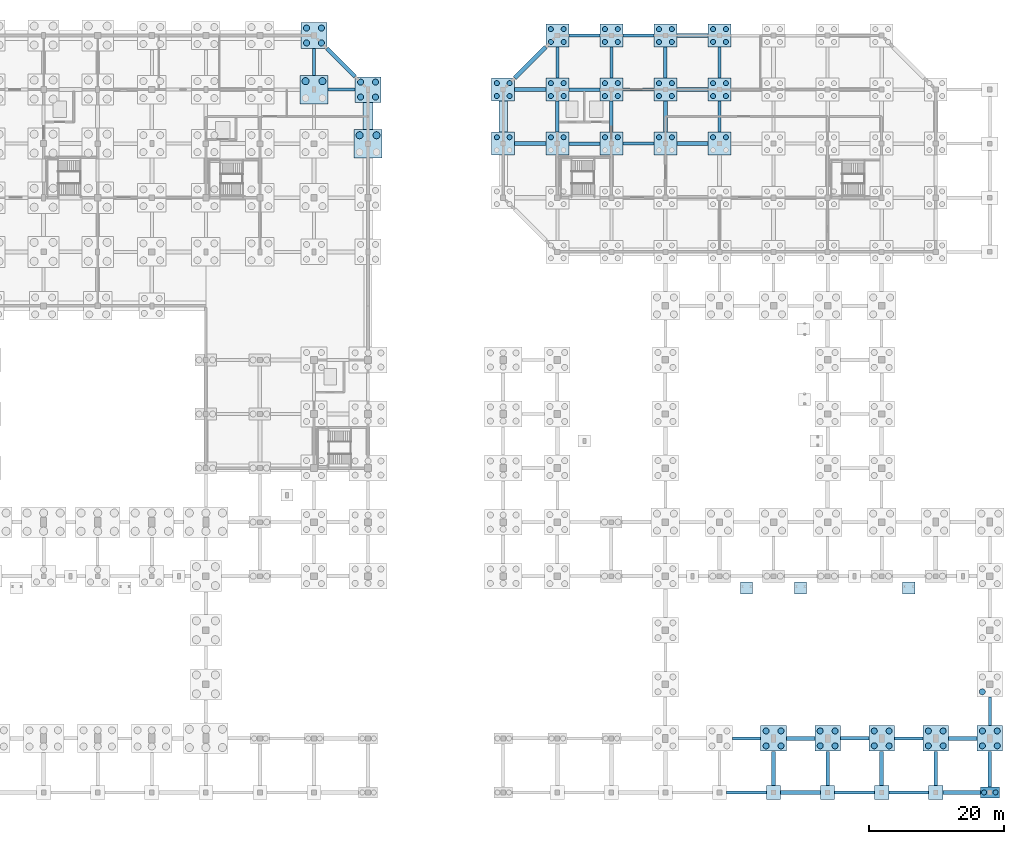
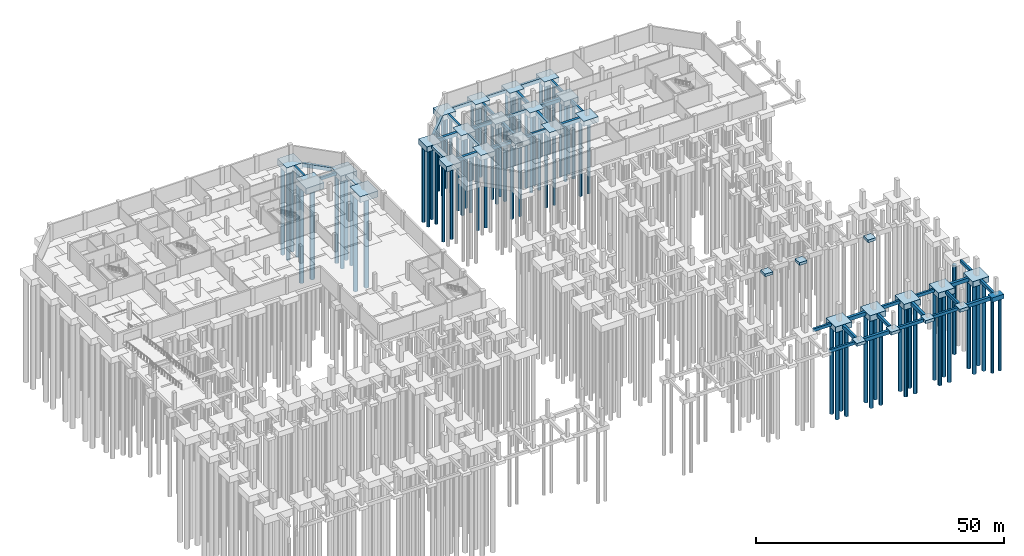
# One storey, part 8 of 32: 81 piles, 72 footings.
"""IFC4 building model written with IfcOpenShell, lengths in metres."""

from ifc_helpers import new_model, si_unit, direction, frame, origin, origin_2d, place, context, subcontext, project, spatial, polyline, rectangle, circle, outline, extrude, material, material_profile, profile_set, type_object, element, save


model = new_model("IFC4")

# Units and contexts
model_context = context("Model", 3, precision=1e-05, world=origin(), true_north=direction((0.0, 1.0)))
body_context = subcontext(model_context, "Body", "Model", "MODEL_VIEW")
ifc_project = project(units=[si_unit("LENGTHUNIT", "METRE"), si_unit("AREAUNIT", "SQUARE_METRE"), si_unit("VOLUMEUNIT", "CUBIC_METRE"), si_unit("PLANEANGLEUNIT", "RADIAN"), si_unit("MASSUNIT", "GRAM", prefix="KILO")], contexts=[model_context])

# Site, building, storey
site_placement = place(None, origin())
site = spatial("IfcSite", under=ifc_project, at=site_placement, CompositionType="ELEMENT")
building_placement = place(site_placement, origin())
building = spatial("IfcBuilding", under=site, at=building_placement, Name="Tenunan Teduh Sports Hall", CompositionType="ELEMENT")
storey_placement = place(building_placement, frame((0.0, 0.0, -4.199951171875)))
storey = spatial("IfcBuildingStorey", under=building, at=storey_placement, Name="B1", CompositionType="ELEMENT", Elevation=-4.199951171875)

# Footings
ifc_material_1 = material(Name="Concrete C40/50", Category="concrete")
ifc_material_profile_1 = material_profile(ifc_material_1, rectangle(XDim=0.449951171875, YDim=0.75, at=origin_2d()), Name="RCB 450x750")
ifc_profile_set_1 = profile_set([ifc_material_profile_1], Name="Concrete C40/50")
footing_type_1 = type_object("IfcFootingType", Name="GB-450x750", PredefinedType="FOOTING_BEAM", material=ifc_profile_set_1)
for number, where, z_axis, x_axis, name in (
    (1, (131.052001953125, 6.0, -0.375), (1.0, 0.0, 0.0), (0.0, 1.0, 0.0), "FTG-GBX-014"),
    (2, (155.052001953125, 6.0, -0.375), (1.0, 0.0, 0.0), (0.0, 1.0, 0.0), "FTG-GBX-017"),
):
    element("IfcFooting", number, at=place(storey_placement, frame(where, z_axis=z_axis, x_axis=x_axis)), inside=storey, type_object=footing_type_1, Name=name, PredefinedType="FOOTING_BEAM", context=body_context, shape_type="SweptSolid", body=[
        extrude(rectangle(XDim=0.449951171875, YDim=0.75, at=origin_2d()), origin(), (0.0, 0.0, 1.0), 5.89599609375),
    ])
for number, where, z_axis, x_axis, name in (
    (3, (131.902099609375, 14.0, -0.375), (1.0, 0.0, 0.0), (0.0, 1.0, 0.0), "FTG-GBX-032"),
    (4, (155.902099609375, 14.0, -0.375), (1.0, 0.0, 0.0), (0.0, 1.0, 0.0), "FTG-GBX-035"),
):
    element("IfcFooting", number, at=place(storey_placement, frame(where, z_axis=z_axis, x_axis=x_axis)), inside=storey, type_object=footing_type_1, Name=name, PredefinedType="FOOTING_BEAM", context=body_context, shape_type="SweptSolid", body=[
        extrude(rectangle(XDim=0.449951171875, YDim=0.75, at=origin_2d()), origin(), (0.0, 0.0, 1.0), 4.19580078125),
    ])
footing_1_placement = place(storey_placement, frame((115.701904296875, 102.0, -0.375), z_axis=(1.0, 0.0, 0.0), x_axis=(0.0, 1.0, 0.0)))
element("IfcFooting", 5, at=footing_1_placement, inside=storey, type_object=footing_type_1, Name="FTG-GBX-140", PredefinedType="FOOTING_BEAM", context=body_context, shape_type="SweptSolid", body=[
    extrude(rectangle(XDim=0.449951171875, YDim=0.75, at=origin_2d()), origin(), (0.0, 0.0, 1.0), 4.59619140625),
])
footing_2_placement = place(storey_placement, frame((72.10205078125, 110.0, -0.375), z_axis=(1.0, 0.0, 0.0), x_axis=(0.0, 1.0, 0.0)))
element("IfcFooting", 6, at=footing_2_placement, inside=storey, type_object=footing_type_1, Name="FTG-GBX-155", PredefinedType="FOOTING_BEAM", context=body_context, shape_type="SweptSolid", body=[
    extrude(rectangle(XDim=0.449951171875, YDim=0.75, at=origin_2d()), origin(), (0.0, 0.0, 1.0), 3.995849609375),
])
for number, where, z_axis, x_axis, name in (
    (7, (115.701904296875, 110.0, -0.375), (1.0, 0.0, 0.0), (0.0, 1.0, 0.0), "FTG-GBX-158"),
    (8, (115.701904296875, 118.0, -0.375), (1.0, 0.0, 0.0), (0.0, 1.0, 0.0), "FTG-GBX-166"),
):
    element("IfcFooting", number, at=place(storey_placement, frame(where, z_axis=z_axis, x_axis=x_axis)), inside=storey, type_object=footing_type_1, Name=name, PredefinedType="FOOTING_BEAM", context=body_context, shape_type="SweptSolid", body=[
        extrude(rectangle(XDim=0.449951171875, YDim=0.75, at=origin_2d()), origin(), (0.0, 0.0, 1.0), 4.59619140625),
    ])
footing_3_placement = place(storey_placement, frame((70.0, 112.10205078125, -0.375), z_axis=(0.0, 1.0, 0.0), x_axis=(-1.0, 0.0, 0.0)))
element("IfcFooting", 9, at=footing_3_placement, inside=storey, type_object=footing_type_1, Name="FTG-GBY-252", PredefinedType="FOOTING_BEAM", context=body_context, shape_type="SweptSolid", body=[
    extrude(rectangle(XDim=0.449951171875, YDim=0.75, at=origin_2d()), origin(), (0.0, 0.0, 1.0), 3.995849609375),
])
for number, where, z_axis, x_axis, name in (
    (10, (106.0, 111.701904296875, -0.375), (0.0, 1.0, 0.0), (-1.0, 0.0, 0.0), "FTG-GBY-271"),
    (11, (114.0, 111.701904296875, -0.375), (0.0, 1.0, 0.0), (-1.0, 0.0, 0.0), "FTG-GBY-277"),
    (12, (130.0, 111.701904296875, -0.375), (0.0, 1.0, 0.0), (-1.0, 0.0, 0.0), "FTG-GBY-298"),
):
    element("IfcFooting", number, at=place(storey_placement, frame(where, z_axis=z_axis, x_axis=x_axis)), inside=storey, type_object=footing_type_1, Name=name, PredefinedType="FOOTING_BEAM", context=body_context, shape_type="SweptSolid", body=[
        extrude(rectangle(XDim=0.449951171875, YDim=0.75, at=origin_2d()), origin(), (0.0, 0.0, 1.0), 4.59619140625),
    ])
footing_4_placement = place(storey_placement, frame((162.0, 7.052001953125, -0.375), z_axis=(0.0, 1.0, 0.0), x_axis=(-1.0, 0.0, 0.0)))
element("IfcFooting", 13, at=footing_4_placement, inside=storey, type_object=footing_type_1, Name="FTG-GBY-328", PredefinedType="FOOTING_BEAM", context=body_context, shape_type="SweptSolid", body=[
    extrude(rectangle(XDim=0.449951171875, YDim=0.75, at=origin_2d()), origin(), (0.0, 0.0, 1.0), 5.0458984375),
])
footing_5_placement = place(storey_placement, frame((170.0, 15.902099609375, -0.375), z_axis=(0.0, 1.0, 0.0), x_axis=(-1.0, 0.0, 0.0)))
element("IfcFooting", 14, at=footing_5_placement, inside=storey, type_object=footing_type_1, Name="FTG-GBY-334", PredefinedType="FOOTING_BEAM", context=body_context, shape_type="SweptSolid", body=[
    extrude(rectangle(XDim=0.449951171875, YDim=0.75, at=origin_2d()), origin(), (0.0, 0.0, 1.0), 4.19580078125),
])
ifc_material_2 = material(Name="Concrete C40/50", Category="concrete")
ifc_material_profile_2 = material_profile(ifc_material_2, rectangle(XDim=0.5, YDim=0.800048828125, at=origin_2d()), Name="RCB 500x800")
ifc_profile_set_2 = profile_set([ifc_material_profile_2], Name="Concrete C40/50")
footing_type_2 = type_object("IfcFootingType", Name="GB-500x800", PredefinedType="FOOTING_BEAM", material=ifc_profile_set_2)
footing_6_placement = place(storey_placement, frame((147.052001953125, 6.0, -0.400146484375), z_axis=(1.0, 0.0, 0.0), x_axis=(0.0, 1.0, 0.0)))
element("IfcFooting", 15, at=footing_6_placement, inside=storey, type_object=footing_type_2, Name="FTG-GBX-016", PredefinedType="FOOTING_BEAM", context=body_context, shape_type="SweptSolid", body=[
    extrude(rectangle(XDim=0.5, YDim=0.800048828125, at=origin_2d()), origin(), (0.0, 0.0, 1.0), 5.89599609375),
])
footing_7_placement = place(storey_placement, frame((147.902099609375, 14.0, -0.400146484375), z_axis=(1.0, 0.0, 0.0), x_axis=(0.0, 1.0, 0.0)))
element("IfcFooting", 16, at=footing_7_placement, inside=storey, type_object=footing_type_2, Name="FTG-GBX-034", PredefinedType="FOOTING_BEAM", context=body_context, shape_type="SweptSolid", body=[
    extrude(rectangle(XDim=0.5, YDim=0.800048828125, at=origin_2d()), origin(), (0.0, 0.0, 1.0), 4.19580078125),
])
for number, where, z_axis, x_axis, name in (
    (17, (107.701904296875, 102.0, -0.400146484375), (1.0, 0.0, 0.0), (0.0, 1.0, 0.0), "FTG-GBX-139"),
    (18, (107.701904296875, 110.0, -0.400146484375), (1.0, 0.0, 0.0), (0.0, 1.0, 0.0), "FTG-GBX-157"),
    (19, (107.701904296875, 118.0, -0.400146484375), (1.0, 0.0, 0.0), (0.0, 1.0, 0.0), "FTG-GBX-165"),
    (20, (106.0, 103.701904296875, -0.400146484375), (0.0, 1.0, 0.0), (-1.0, 0.0, 0.0), "FTG-GBY-270"),
    (21, (114.0, 103.701904296875, -0.400146484375), (0.0, 1.0, 0.0), (-1.0, 0.0, 0.0), "FTG-GBY-276"),
    (22, (122.0, 111.701904296875, -0.400146484375), (0.0, 1.0, 0.0), (-1.0, 0.0, 0.0), "FTG-GBY-291"),
    (23, (130.0, 103.701904296875, -0.400146484375), (0.0, 1.0, 0.0), (-1.0, 0.0, 0.0), "FTG-GBY-297"),
):
    element("IfcFooting", number, at=place(storey_placement, frame(where, z_axis=z_axis, x_axis=x_axis)), inside=storey, type_object=footing_type_2, Name=name, PredefinedType="FOOTING_BEAM", context=body_context, shape_type="SweptSolid", body=[
        extrude(rectangle(XDim=0.5, YDim=0.800048828125, at=origin_2d()), origin(), (0.0, 0.0, 1.0), 4.59619140625),
    ])
footing_8_placement = place(storey_placement, frame((146.0, 7.052001953125, -0.400146484375), z_axis=(0.0, 1.0, 0.0), x_axis=(-1.0, 0.0, 0.0)))
element("IfcFooting", 24, at=footing_8_placement, inside=storey, type_object=footing_type_2, Name="FTG-GBY-306", PredefinedType="FOOTING_BEAM", context=body_context, shape_type="SweptSolid", body=[
    extrude(rectangle(XDim=0.5, YDim=0.800048828125, at=origin_2d()), origin(), (0.0, 0.0, 1.0), 5.0458984375),
])
footing_9_placement = place(storey_placement, frame((170.0, 6.802001953125, -0.400146484375), z_axis=(0.0, 1.0, 0.0), x_axis=(-1.0, 0.0, 0.0)))
element("IfcFooting", 25, at=footing_9_placement, inside=storey, type_object=footing_type_2, Name="FTG-GBY-333", PredefinedType="FOOTING_BEAM", context=body_context, shape_type="SweptSolid", body=[
    extrude(rectangle(XDim=0.5, YDim=0.800048828125, at=origin_2d()), origin(), (0.0, 0.0, 1.0), 5.2958984375),
])
ifc_material_3 = material(Name="Concrete C40/50", Category="concrete")
ifc_material_profile_3 = material_profile(ifc_material_3, rectangle(XDim=0.60009765625, YDim=0.89990234375, at=origin_2d()), Name="RCB 600x900")
ifc_profile_set_3 = profile_set([ifc_material_profile_3], Name="Concrete C40/50")
footing_type_3 = type_object("IfcFootingType", Name="GB-600x900", PredefinedType="FOOTING_BEAM", material=ifc_profile_set_3)
footing_10_placement = place(storey_placement, frame((139.052001953125, 6.0, -0.449951171875), z_axis=(1.0, 0.0, 0.0), x_axis=(0.0, 1.0, 0.0)))
element("IfcFooting", 26, at=footing_10_placement, inside=storey, type_object=footing_type_3, Name="FTG-GBX-015", PredefinedType="FOOTING_BEAM", context=body_context, shape_type="SweptSolid", body=[
    extrude(rectangle(XDim=0.60009765625, YDim=0.89990234375, at=origin_2d()), origin(), (0.0, 0.0, 1.0), 5.89599609375),
])
footing_11_placement = place(storey_placement, frame((163.052001953125, 6.0, -0.449951171875), z_axis=(1.0, 0.0, 0.0), x_axis=(0.0, 1.0, 0.0)))
element("IfcFooting", 27, at=footing_11_placement, inside=storey, type_object=footing_type_3, Name="FTG-GBX-018", PredefinedType="FOOTING_BEAM", context=body_context, shape_type="SweptSolid", body=[
    extrude(rectangle(XDim=0.60009765625, YDim=0.89990234375, at=origin_2d()), origin(), (0.0, 0.0, 1.0), 5.5458984375),
])
for number, where, z_axis, x_axis, name in (
    (28, (139.902099609375, 14.0, -0.449951171875), (1.0, 0.0, 0.0), (0.0, 1.0, 0.0), "FTG-GBX-033"),
    (29, (163.902099609375, 14.0, -0.449951171875), (1.0, 0.0, 0.0), (0.0, 1.0, 0.0), "FTG-GBX-036"),
):
    element("IfcFooting", number, at=place(storey_placement, frame(where, z_axis=z_axis, x_axis=x_axis)), inside=storey, type_object=footing_type_3, Name=name, PredefinedType="FOOTING_BEAM", context=body_context, shape_type="SweptSolid", body=[
        extrude(rectangle(XDim=0.60009765625, YDim=0.89990234375, at=origin_2d()), origin(), (0.0, 0.0, 1.0), 4.19580078125),
    ])
for number, where, z_axis, x_axis, name in (
    (30, (99.701904296875, 102.0, -0.449951171875), (1.0, 0.0, 0.0), (0.0, 1.0, 0.0), "FTG-GBX-138"),
    (31, (123.701904296875, 102.0, -0.449951171875), (1.0, 0.0, 0.0), (0.0, 1.0, 0.0), "FTG-GBX-141"),
    (32, (99.701904296875, 110.0, -0.449951171875), (1.0, 0.0, 0.0), (0.0, 1.0, 0.0), "FTG-GBX-156"),
    (33, (123.701904296875, 110.0, -0.449951171875), (1.0, 0.0, 0.0), (0.0, 1.0, 0.0), "FTG-GBX-159"),
    (34, (123.701904296875, 118.0, -0.449951171875), (1.0, 0.0, 0.0), (0.0, 1.0, 0.0), "FTG-GBX-167"),
    (35, (122.0, 103.701904296875, -0.449951171875), (0.0, 1.0, 0.0), (-1.0, 0.0, 0.0), "FTG-GBY-290"),
):
    element("IfcFooting", number, at=place(storey_placement, frame(where, z_axis=z_axis, x_axis=x_axis)), inside=storey, type_object=footing_type_3, Name=name, PredefinedType="FOOTING_BEAM", context=body_context, shape_type="SweptSolid", body=[
        extrude(rectangle(XDim=0.60009765625, YDim=0.89990234375, at=origin_2d()), origin(), (0.0, 0.0, 1.0), 4.59619140625),
    ])
for number, where, z_axis, x_axis, name in (
    (36, (138.0, 7.052001953125, -0.449951171875), (0.0, 1.0, 0.0), (-1.0, 0.0, 0.0), "FTG-GBY-299"),
    (37, (154.0, 7.052001953125, -0.449951171875), (0.0, 1.0, 0.0), (-1.0, 0.0, 0.0), "FTG-GBY-317"),
):
    element("IfcFooting", number, at=place(storey_placement, frame(where, z_axis=z_axis, x_axis=x_axis)), inside=storey, type_object=footing_type_3, Name=name, PredefinedType="FOOTING_BEAM", context=body_context, shape_type="SweptSolid", body=[
        extrude(rectangle(XDim=0.60009765625, YDim=0.89990234375, at=origin_2d()), origin(), (0.0, 0.0, 1.0), 5.0458984375),
    ])
footing_12_placement = place(storey_placement, frame((71.902099609375, 116.097900390625, -0.449951171875), z_axis=(0.707106781187, -0.707106781187, 0.0), x_axis=(0.707106781187, 0.707106781187, 0.0)))
element("IfcFooting", 38, at=footing_12_placement, inside=storey, type_object=footing_type_3, Name="FTG-GBD-342", PredefinedType="FOOTING_BEAM", context=body_context, shape_type="SweptSolid", body=[
    extrude(rectangle(XDim=0.60009765625, YDim=0.89990234375, at=origin_2d()), origin(), (0.0, 0.0, 1.0), 5.933837890625),
])
footing_13_placement = place(storey_placement, frame((99.701904296875, 111.701904296875, -0.449951171875), z_axis=(0.707106781187, 0.707106781187, 0.0), x_axis=(-0.707106781187, 0.707106781187, 0.0)))
element("IfcFooting", 39, at=footing_13_placement, inside=storey, type_object=footing_type_3, Name="FTG-GBD-343", PredefinedType="FOOTING_BEAM", context=body_context, shape_type="SweptSolid", body=[
    extrude(rectangle(XDim=0.60009765625, YDim=0.89990234375, at=origin_2d()), origin(), (0.0, 0.0, 1.0), 6.5),
])
ifc_material_4 = material(Name="Concrete C40/50", Category="concrete")
footing_type_4 = type_object("IfcFootingType", Name="PC-2A", PredefinedType="PILE_CAP", material=ifc_material_4)
footing_14_placement = place(storey_placement, frame((170.0, 6.0, -1.10009765625), z_axis=(0.0, 0.0, 1.0), x_axis=(1.0, 0.0, 0.0)))
element("IfcFooting", 40, at=footing_14_placement, inside=storey, type_object=footing_type_4, Name="FTG-PC-220", PredefinedType="PILE_CAP", context=body_context, shape_type="SweptSolid", body=[
    extrude(rectangle(XDim=2.800048828125, YDim=1.60009765625, at=origin_2d()), origin(), (0.0, 0.0, 1.0), 1.10009765625),
])
ifc_material_5 = material(Name="Concrete C40/50", Category="concrete")
footing_type_5 = type_object("IfcFootingType", Name="PC-4A", PredefinedType="PILE_CAP", material=ifc_material_5)
for number, where, z_axis, x_axis, name in (
    (41, (98.0, 102.0, -1.30029296875), (0.0, 0.0, 1.0), (1.0, 0.0, 0.0), "FTG-PC-128"),
    (42, (98.0, 110.0, -1.30029296875), (0.0, 0.0, 1.0), (1.0, 0.0, 0.0), "FTG-PC-129"),
    (43, (106.0, 102.0, -1.30029296875), (0.0, 0.0, 1.0), (1.0, 0.0, 0.0), "FTG-PC-139"),
    (44, (106.0, 110.0, -1.30029296875), (0.0, 0.0, 1.0), (1.0, 0.0, 0.0), "FTG-PC-140"),
    (45, (106.0, 118.0, -1.30029296875), (0.0, 0.0, 1.0), (1.0, 0.0, 0.0), "FTG-PC-141"),
    (46, (114.0, 102.0, -1.30029296875), (0.0, 0.0, 1.0), (1.0, 0.0, 0.0), "FTG-PC-148"),
    (47, (114.0, 110.0, -1.30029296875), (0.0, 0.0, 1.0), (1.0, 0.0, 0.0), "FTG-PC-149"),
    (48, (114.0, 118.0, -1.30029296875), (0.0, 0.0, 1.0), (1.0, 0.0, 0.0), "FTG-PC-150"),
    (49, (122.0, 102.0, -1.30029296875), (0.0, 0.0, 1.0), (1.0, 0.0, 0.0), "FTG-PC-163"),
    (50, (122.0, 110.0, -1.30029296875), (0.0, 0.0, 1.0), (1.0, 0.0, 0.0), "FTG-PC-164"),
    (51, (122.0, 118.0, -1.30029296875), (0.0, 0.0, 1.0), (1.0, 0.0, 0.0), "FTG-PC-165"),
    (52, (130.0, 102.0, -1.30029296875), (0.0, 0.0, 1.0), (1.0, 0.0, 0.0), "FTG-PC-173"),
    (53, (130.0, 110.0, -1.30029296875), (0.0, 0.0, 1.0), (1.0, 0.0, 0.0), "FTG-PC-174"),
    (54, (130.0, 118.0, -1.30029296875), (0.0, 0.0, 1.0), (1.0, 0.0, 0.0), "FTG-PC-175"),
):
    element("IfcFooting", number, at=place(storey_placement, frame(where, z_axis=z_axis, x_axis=x_axis)), inside=storey, type_object=footing_type_5, Name=name, PredefinedType="PILE_CAP", context=body_context, shape_type="SweptSolid", body=[
        extrude(rectangle(XDim=3.39990234375, YDim=3.39990234375, at=origin_2d()), origin(), (0.0, 0.0, 1.0), 1.300048828125),
    ])
ifc_material_6 = material(Name="Concrete C40/50", Category="concrete")
footing_type_6 = type_object("IfcFootingType", Name="PC-4B", PredefinedType="PILE_CAP", material=ifc_material_6)
for number, where, z_axis, x_axis, name in (
    (55, (70.0, 118.0, -1.39990234375), (0.0, 0.0, 1.0), (1.0, 0.0, 0.0), "FTG-PC-108"),
    (56, (78.0, 110.0, -1.39990234375), (0.0, 0.0, 1.0), (1.0, 0.0, 0.0), "FTG-PC-119"),
    (57, (138.0, 14.0, -1.39990234375), (0.0, 0.0, 1.0), (1.0, 0.0, 0.0), "FTG-PC-177"),
    (58, (146.0, 14.0, -1.39990234375), (0.0, 0.0, 1.0), (1.0, 0.0, 0.0), "FTG-PC-187"),
    (59, (154.0, 14.0, -1.39990234375), (0.0, 0.0, 1.0), (1.0, 0.0, 0.0), "FTG-PC-200"),
    (60, (162.0, 14.0, -1.39990234375), (0.0, 0.0, 1.0), (1.0, 0.0, 0.0), "FTG-PC-213"),
    (61, (170.0, 14.0, -1.39990234375), (0.0, 0.0, 1.0), (1.0, 0.0, 0.0), "FTG-PC-221"),
):
    element("IfcFooting", number, at=place(storey_placement, frame(where, z_axis=z_axis, x_axis=x_axis)), inside=storey, type_object=footing_type_6, Name=name, PredefinedType="PILE_CAP", context=body_context, shape_type="SweptSolid", body=[
        extrude(rectangle(XDim=3.800048828125, YDim=3.800048828125, at=origin_2d()), origin(), (0.0, 0.0, 1.0), 1.39990234375),
    ])
ifc_material_7 = material(Name="Concrete C40/50", Category="concrete")
footing_type_7 = type_object("IfcFootingType", Name="PC-4C", PredefinedType="PILE_CAP", material=ifc_material_7)
for number, where, z_axis, x_axis, name in (
    (62, (70.0, 110.0, -1.5), (0.0, 0.0, 1.0), (1.0, 0.0, 0.0), "FTG-PC-107"),
    (63, (78.0, 102.0, -1.5), (0.0, 0.0, 1.0), (1.0, 0.0, 0.0), "FTG-PC-118"),
):
    element("IfcFooting", number, at=place(storey_placement, frame(where, z_axis=z_axis, x_axis=x_axis)), inside=storey, type_object=footing_type_7, Name=name, PredefinedType="PILE_CAP", context=body_context, shape_type="SweptSolid", body=[
        extrude(rectangle(XDim=4.199951171875, YDim=4.199951171875, at=origin_2d()), origin(), (0.0, 0.0, 1.0), 1.5),
    ])
ifc_material_8 = material(Name="Concrete C40/50", Category="concrete")
footing_type_8 = type_object("IfcFootingType", Name="PF-1A", PredefinedType="PAD_FOOTING", material=ifc_material_8)
for number, where, z_axis, x_axis, name in (
    (64, (134.0, 36.27001953125, -0.64990234375), (0.0, 0.0, 1.0), (1.0, 0.0, 0.0), "FTG-FST-1"),
    (65, (142.0, 36.27001953125, -0.64990234375), (0.0, 0.0, 1.0), (1.0, 0.0, 0.0), "FTG-FST-2"),
    (66, (158.0, 36.27001953125, -0.64990234375), (0.0, 0.0, 1.0), (1.0, 0.0, 0.0), "FTG-FST-3"),
):
    element("IfcFooting", number, at=place(storey_placement, frame(where, z_axis=z_axis, x_axis=x_axis)), inside=storey, type_object=footing_type_8, Name=name, PredefinedType="PAD_FOOTING", context=body_context, shape_type="SweptSolid", body=[
        extrude(rectangle(XDim=1.800048828125, YDim=1.800048828125, at=origin_2d()), origin(), (0.0, 0.0, 1.0), 0.64990234375),
    ])
ifc_material_9 = material(Name="Concrete C40/50", Category="concrete")
footing_type_9 = type_object("IfcFootingType", Name="PF-1B", PredefinedType="PAD_FOOTING", material=ifc_material_9)
for number, where, z_axis, x_axis, name in (
    (67, (138.0, 6.0, -0.75), (0.0, 0.0, 1.0), (1.0, 0.0, 0.0), "FTG-PAD-176"),
    (68, (146.0, 6.0, -0.75), (0.0, 0.0, 1.0), (1.0, 0.0, 0.0), "FTG-PAD-186"),
    (69, (154.0, 6.0, -0.75), (0.0, 0.0, 1.0), (1.0, 0.0, 0.0), "FTG-PAD-199"),
    (70, (162.0, 6.0, -0.75), (0.0, 0.0, 1.0), (1.0, 0.0, 0.0), "FTG-PAD-212"),
):
    element("IfcFooting", number, at=place(storey_placement, frame(where, z_axis=z_axis, x_axis=x_axis)), inside=storey, type_object=footing_type_9, Name=name, PredefinedType="PAD_FOOTING", context=body_context, shape_type="SweptSolid", body=[
        extrude(rectangle(XDim=2.10009765625, YDim=2.10009765625, at=origin_2d()), origin(), (0.0, 0.0, 1.0), 0.75),
    ])

# Piles
ifc_material_10 = material(Name="Concrete C40/50", Category="concrete")
ifc_material_profile_4 = material_profile(ifc_material_10, circle(Radius=0.52490234375, at=origin_2d()), Name="PILE D1050")
ifc_profile_set_4 = profile_set([ifc_material_profile_4], Name="Concrete C40/50")
pile_type_1 = type_object("IfcPileType", Name="PILE-D1050", PredefinedType="BORED", material=ifc_profile_set_4)
for number, where, z_axis, x_axis, name in (
    (71, (68.75, 111.25, -1.400146484375), (0.0, 0.0, -1.0), (1.0, 0.0, 0.0), "PILE-PL-3-107-3"),
    (72, (71.25, 111.25, -1.400146484375), (0.0, 0.0, -1.0), (1.0, 0.0, 0.0), "PILE-PL-3-107-4"),
    (73, (76.75, 103.25, -1.400146484375), (0.0, 0.0, -1.0), (1.0, 0.0, 0.0), "PILE-PL-3-118-3"),
    (74, (79.25, 103.25, -1.400146484375), (0.0, 0.0, -1.0), (1.0, 0.0, 0.0), "PILE-PL-3-118-4"),
):
    element("IfcPile", number, at=place(storey_placement, frame(where, z_axis=z_axis, x_axis=x_axis)), inside=storey, type_object=pile_type_1, Name=name, PredefinedType="BORED", context=body_context, shape_type="SweptSolid", body=[
        extrude(circle(Radius=0.52490234375, at=origin_2d()), origin(), (0.0, 0.0, 1.0), 24.0),
    ])
ifc_material_11 = material(Name="Concrete C40/50", Category="concrete")
ifc_material_profile_5 = material_profile(ifc_material_11, circle(Radius=0.375, at=origin_2d()), Name="PILE D750")
ifc_profile_set_5 = profile_set([ifc_material_profile_5], Name="Concrete C40/50")
pile_type_2 = type_object("IfcPileType", Name="PILE-D750", PredefinedType="BORED", material=ifc_profile_set_5)
for number, where, z_axis, x_axis, name in (
    (75, (97.050048828125, 102.949951171875, -1.199951171875), (0.0, 0.0, -1.0), (1.0, 0.0, 0.0), "PILE-PL-1-128-3"),
    (76, (98.949951171875, 102.949951171875, -1.199951171875), (0.0, 0.0, -1.0), (1.0, 0.0, 0.0), "PILE-PL-1-128-4"),
    (77, (97.050048828125, 109.050048828125, -1.199951171875), (0.0, 0.0, -1.0), (1.0, 0.0, 0.0), "PILE-PL-1-129-1"),
    (78, (98.949951171875, 109.050048828125, -1.199951171875), (0.0, 0.0, -1.0), (1.0, 0.0, 0.0), "PILE-PL-1-129-2"),
    (79, (97.050048828125, 110.949951171875, -1.199951171875), (0.0, 0.0, -1.0), (1.0, 0.0, 0.0), "PILE-PL-1-129-3"),
    (80, (98.949951171875, 110.949951171875, -1.199951171875), (0.0, 0.0, -1.0), (1.0, 0.0, 0.0), "PILE-PL-1-129-4"),
    (81, (105.050048828125, 102.949951171875, -1.199951171875), (0.0, 0.0, -1.0), (1.0, 0.0, 0.0), "PILE-PL-1-139-3"),
    (82, (106.949951171875, 102.949951171875, -1.199951171875), (0.0, 0.0, -1.0), (1.0, 0.0, 0.0), "PILE-PL-1-139-4"),
    (83, (105.050048828125, 109.050048828125, -1.199951171875), (0.0, 0.0, -1.0), (1.0, 0.0, 0.0), "PILE-PL-1-140-1"),
    (84, (106.949951171875, 109.050048828125, -1.199951171875), (0.0, 0.0, -1.0), (1.0, 0.0, 0.0), "PILE-PL-1-140-2"),
    (85, (105.050048828125, 110.949951171875, -1.199951171875), (0.0, 0.0, -1.0), (1.0, 0.0, 0.0), "PILE-PL-1-140-3"),
    (86, (106.949951171875, 110.949951171875, -1.199951171875), (0.0, 0.0, -1.0), (1.0, 0.0, 0.0), "PILE-PL-1-140-4"),
    (87, (105.050048828125, 117.050048828125, -1.199951171875), (0.0, 0.0, -1.0), (1.0, 0.0, 0.0), "PILE-PL-1-141-1"),
    (88, (106.949951171875, 117.050048828125, -1.199951171875), (0.0, 0.0, -1.0), (1.0, 0.0, 0.0), "PILE-PL-1-141-2"),
    (89, (105.050048828125, 118.949951171875, -1.199951171875), (0.0, 0.0, -1.0), (1.0, 0.0, 0.0), "PILE-PL-1-141-3"),
    (90, (106.949951171875, 118.949951171875, -1.199951171875), (0.0, 0.0, -1.0), (1.0, 0.0, 0.0), "PILE-PL-1-141-4"),
    (91, (113.050048828125, 102.949951171875, -1.199951171875), (0.0, 0.0, -1.0), (1.0, 0.0, 0.0), "PILE-PL-1-148-3"),
    (92, (114.949951171875, 102.949951171875, -1.199951171875), (0.0, 0.0, -1.0), (1.0, 0.0, 0.0), "PILE-PL-1-148-4"),
    (93, (113.050048828125, 109.050048828125, -1.199951171875), (0.0, 0.0, -1.0), (1.0, 0.0, 0.0), "PILE-PL-1-149-1"),
    (94, (114.949951171875, 109.050048828125, -1.199951171875), (0.0, 0.0, -1.0), (1.0, 0.0, 0.0), "PILE-PL-1-149-2"),
    (95, (113.050048828125, 110.949951171875, -1.199951171875), (0.0, 0.0, -1.0), (1.0, 0.0, 0.0), "PILE-PL-1-149-3"),
    (96, (114.949951171875, 110.949951171875, -1.199951171875), (0.0, 0.0, -1.0), (1.0, 0.0, 0.0), "PILE-PL-1-149-4"),
    (97, (113.050048828125, 117.050048828125, -1.199951171875), (0.0, 0.0, -1.0), (1.0, 0.0, 0.0), "PILE-PL-1-150-1"),
    (98, (114.949951171875, 117.050048828125, -1.199951171875), (0.0, 0.0, -1.0), (1.0, 0.0, 0.0), "PILE-PL-1-150-2"),
    (99, (113.050048828125, 118.949951171875, -1.199951171875), (0.0, 0.0, -1.0), (1.0, 0.0, 0.0), "PILE-PL-1-150-3"),
    (100, (114.949951171875, 118.949951171875, -1.199951171875), (0.0, 0.0, -1.0), (1.0, 0.0, 0.0), "PILE-PL-1-150-4"),
    (101, (121.050048828125, 102.949951171875, -1.199951171875), (0.0, 0.0, -1.0), (1.0, 0.0, 0.0), "PILE-PL-1-163-3"),
    (102, (122.949951171875, 102.949951171875, -1.199951171875), (0.0, 0.0, -1.0), (1.0, 0.0, 0.0), "PILE-PL-1-163-4"),
    (103, (121.050048828125, 109.050048828125, -1.199951171875), (0.0, 0.0, -1.0), (1.0, 0.0, 0.0), "PILE-PL-1-164-1"),
    (104, (122.949951171875, 109.050048828125, -1.199951171875), (0.0, 0.0, -1.0), (1.0, 0.0, 0.0), "PILE-PL-1-164-2"),
    (105, (121.050048828125, 110.949951171875, -1.199951171875), (0.0, 0.0, -1.0), (1.0, 0.0, 0.0), "PILE-PL-1-164-3"),
    (106, (122.949951171875, 110.949951171875, -1.199951171875), (0.0, 0.0, -1.0), (1.0, 0.0, 0.0), "PILE-PL-1-164-4"),
    (107, (121.050048828125, 117.050048828125, -1.199951171875), (0.0, 0.0, -1.0), (1.0, 0.0, 0.0), "PILE-PL-1-165-1"),
    (108, (122.949951171875, 117.050048828125, -1.199951171875), (0.0, 0.0, -1.0), (1.0, 0.0, 0.0), "PILE-PL-1-165-2"),
    (109, (121.050048828125, 118.949951171875, -1.199951171875), (0.0, 0.0, -1.0), (1.0, 0.0, 0.0), "PILE-PL-1-165-3"),
    (110, (122.949951171875, 118.949951171875, -1.199951171875), (0.0, 0.0, -1.0), (1.0, 0.0, 0.0), "PILE-PL-1-165-4"),
    (111, (129.050048828125, 102.949951171875, -1.199951171875), (0.0, 0.0, -1.0), (1.0, 0.0, 0.0), "PILE-PL-1-173-3"),
    (112, (130.949951171875, 102.949951171875, -1.199951171875), (0.0, 0.0, -1.0), (1.0, 0.0, 0.0), "PILE-PL-1-173-4"),
    (113, (129.050048828125, 109.050048828125, -1.199951171875), (0.0, 0.0, -1.0), (1.0, 0.0, 0.0), "PILE-PL-1-174-1"),
    (114, (130.949951171875, 109.050048828125, -1.199951171875), (0.0, 0.0, -1.0), (1.0, 0.0, 0.0), "PILE-PL-1-174-2"),
    (115, (129.050048828125, 110.949951171875, -1.199951171875), (0.0, 0.0, -1.0), (1.0, 0.0, 0.0), "PILE-PL-1-174-3"),
    (116, (130.949951171875, 110.949951171875, -1.199951171875), (0.0, 0.0, -1.0), (1.0, 0.0, 0.0), "PILE-PL-1-174-4"),
    (117, (129.050048828125, 117.050048828125, -1.199951171875), (0.0, 0.0, -1.0), (1.0, 0.0, 0.0), "PILE-PL-1-175-1"),
    (118, (130.949951171875, 117.050048828125, -1.199951171875), (0.0, 0.0, -1.0), (1.0, 0.0, 0.0), "PILE-PL-1-175-2"),
    (119, (129.050048828125, 118.949951171875, -1.199951171875), (0.0, 0.0, -1.0), (1.0, 0.0, 0.0), "PILE-PL-1-175-3"),
    (120, (130.949951171875, 118.949951171875, -1.199951171875), (0.0, 0.0, -1.0), (1.0, 0.0, 0.0), "PILE-PL-1-175-4"),
):
    element("IfcPile", number, at=place(storey_placement, frame(where, z_axis=z_axis, x_axis=x_axis)), inside=storey, type_object=pile_type_2, Name=name, PredefinedType="BORED", context=body_context, shape_type="SweptSolid", body=[
        extrude(circle(Radius=0.375, at=origin_2d()), origin(), (0.0, 0.0, 1.0), 19.0),
    ])
for number, where, z_axis, x_axis, name in (
    (121, (169.14990234375, 6.0, -1.0), (0.0, 0.0, -1.0), (1.0, 0.0, 0.0), "PILE-PL-1-220-1"),
    (122, (170.85009765625, 6.0, -1.0), (0.0, 0.0, -1.0), (1.0, 0.0, 0.0), "PILE-PL-1-220-2"),
):
    element("IfcPile", number, at=place(storey_placement, frame(where, z_axis=z_axis, x_axis=x_axis)), inside=storey, type_object=pile_type_2, Name=name, PredefinedType="BORED", context=body_context, shape_type="SweptSolid", body=[
        extrude(circle(Radius=0.375, at=origin_2d()), origin(), (0.0, 0.0, 1.0), 18.0),
    ])
ifc_material_12 = material(Name="Concrete C40/50", Category="concrete")
ifc_material_profile_6 = material_profile(ifc_material_12, circle(Radius=0.449951171875, at=origin_2d()), Name="PILE D900")
ifc_profile_set_6 = profile_set([ifc_material_profile_6], Name="Concrete C40/50")
pile_type_3 = type_object("IfcPileType", Name="PILE-D900", PredefinedType="BORED", material=ifc_profile_set_6)
for number, where, z_axis, x_axis, name in (
    (123, (68.89990234375, 116.89990234375, -1.300048828125), (0.0, 0.0, -1.0), (1.0, 0.0, 0.0), "PILE-PL-2-108-1"),
    (124, (71.10009765625, 116.89990234375, -1.300048828125), (0.0, 0.0, -1.0), (1.0, 0.0, 0.0), "PILE-PL-2-108-2"),
    (125, (68.89990234375, 119.10009765625, -1.300048828125), (0.0, 0.0, -1.0), (1.0, 0.0, 0.0), "PILE-PL-2-108-3"),
    (126, (71.10009765625, 119.10009765625, -1.300048828125), (0.0, 0.0, -1.0), (1.0, 0.0, 0.0), "PILE-PL-2-108-4"),
    (127, (76.89990234375, 108.89990234375, -1.300048828125), (0.0, 0.0, -1.0), (1.0, 0.0, 0.0), "PILE-PL-2-119-1"),
    (128, (79.10009765625, 108.89990234375, -1.300048828125), (0.0, 0.0, -1.0), (1.0, 0.0, 0.0), "PILE-PL-2-119-2"),
    (129, (76.89990234375, 111.10009765625, -1.300048828125), (0.0, 0.0, -1.0), (1.0, 0.0, 0.0), "PILE-PL-2-119-3"),
    (130, (79.10009765625, 111.10009765625, -1.300048828125), (0.0, 0.0, -1.0), (1.0, 0.0, 0.0), "PILE-PL-2-119-4"),
    (131, (136.89990234375, 12.89990234375, -1.300048828125), (0.0, 0.0, -1.0), (1.0, 0.0, 0.0), "PILE-PL-2-177-1"),
    (132, (139.10009765625, 12.89990234375, -1.300048828125), (0.0, 0.0, -1.0), (1.0, 0.0, 0.0), "PILE-PL-2-177-2"),
    (133, (136.89990234375, 15.10009765625, -1.300048828125), (0.0, 0.0, -1.0), (1.0, 0.0, 0.0), "PILE-PL-2-177-3"),
    (134, (139.10009765625, 15.10009765625, -1.300048828125), (0.0, 0.0, -1.0), (1.0, 0.0, 0.0), "PILE-PL-2-177-4"),
    (135, (144.89990234375, 12.89990234375, -1.300048828125), (0.0, 0.0, -1.0), (1.0, 0.0, 0.0), "PILE-PL-2-187-1"),
    (136, (147.10009765625, 12.89990234375, -1.300048828125), (0.0, 0.0, -1.0), (1.0, 0.0, 0.0), "PILE-PL-2-187-2"),
    (137, (144.89990234375, 15.10009765625, -1.300048828125), (0.0, 0.0, -1.0), (1.0, 0.0, 0.0), "PILE-PL-2-187-3"),
    (138, (147.10009765625, 15.10009765625, -1.300048828125), (0.0, 0.0, -1.0), (1.0, 0.0, 0.0), "PILE-PL-2-187-4"),
    (139, (152.89990234375, 12.89990234375, -1.300048828125), (0.0, 0.0, -1.0), (1.0, 0.0, 0.0), "PILE-PL-2-200-1"),
    (140, (155.10009765625, 12.89990234375, -1.300048828125), (0.0, 0.0, -1.0), (1.0, 0.0, 0.0), "PILE-PL-2-200-2"),
    (141, (152.89990234375, 15.10009765625, -1.300048828125), (0.0, 0.0, -1.0), (1.0, 0.0, 0.0), "PILE-PL-2-200-3"),
    (142, (155.10009765625, 15.10009765625, -1.300048828125), (0.0, 0.0, -1.0), (1.0, 0.0, 0.0), "PILE-PL-2-200-4"),
    (143, (160.89990234375, 12.89990234375, -1.300048828125), (0.0, 0.0, -1.0), (1.0, 0.0, 0.0), "PILE-PL-2-213-1"),
    (144, (163.10009765625, 12.89990234375, -1.300048828125), (0.0, 0.0, -1.0), (1.0, 0.0, 0.0), "PILE-PL-2-213-2"),
    (145, (160.89990234375, 15.10009765625, -1.300048828125), (0.0, 0.0, -1.0), (1.0, 0.0, 0.0), "PILE-PL-2-213-3"),
    (146, (163.10009765625, 15.10009765625, -1.300048828125), (0.0, 0.0, -1.0), (1.0, 0.0, 0.0), "PILE-PL-2-213-4"),
    (147, (168.89990234375, 12.89990234375, -1.300048828125), (0.0, 0.0, -1.0), (1.0, 0.0, 0.0), "PILE-PL-2-221-1"),
    (148, (171.10009765625, 12.89990234375, -1.300048828125), (0.0, 0.0, -1.0), (1.0, 0.0, 0.0), "PILE-PL-2-221-2"),
    (149, (168.89990234375, 15.10009765625, -1.300048828125), (0.0, 0.0, -1.0), (1.0, 0.0, 0.0), "PILE-PL-2-221-3"),
    (150, (171.10009765625, 15.10009765625, -1.300048828125), (0.0, 0.0, -1.0), (1.0, 0.0, 0.0), "PILE-PL-2-221-4"),
    (151, (168.89990234375, 20.89990234375, -1.300048828125), (0.0, 0.0, -1.0), (1.0, 0.0, 0.0), "PILE-PL-2-222-1"),
):
    element("IfcPile", number, at=place(storey_placement, frame(where, z_axis=z_axis, x_axis=x_axis)), inside=storey, type_object=pile_type_3, Name=name, PredefinedType="BORED", context=body_context, shape_type="SweptSolid", body=[
        extrude(circle(Radius=0.449951171875, at=origin_2d()), origin(), (0.0, 0.0, 1.0), 22.0),
    ])

# Footings
ifc_material_13 = material(Name="Concrete C40/50", Category="concrete")
footing_type_10 = type_object("IfcFootingType", Name="SF-1200x700", PredefinedType="STRIP_FOOTING", material=ifc_material_13)
footing_15_placement = place(storey_placement, frame((0.0, 0.0, -0.699951171875)))
element("IfcFooting", 152, at=footing_15_placement, inside=storey, type_object=footing_type_10, Name="FTG-SF-08-02", PredefinedType="STRIP_FOOTING", context=body_context, shape_type="SweptSolid", body=[
    extrude(outline(polyline([(98.60009765625, 103.701904296875), (98.60009765625, 108.298095703125), (97.39990234375, 108.298095703125), (97.39990234375, 103.701904296875), (98.60009765625, 103.701904296875)])), origin(), (0.0, 0.0, 1.0), 0.699951171875),
])
ifc_material_14 = material(Name="Concrete C40/50", Category="concrete")
footing_type_11 = type_object("IfcFootingType", Name="SF-1500x800", PredefinedType="STRIP_FOOTING", material=ifc_material_14)
footing_16_placement = place(storey_placement, frame((0.0, 0.0, -0.800048828125)))
element("IfcFooting", 153, at=footing_16_placement, inside=storey, type_object=footing_type_11, Name="FTG-SF-04-03", PredefinedType="STRIP_FOOTING", context=body_context, shape_type="SweptSolid", body=[
    extrude(outline(polyline([(78.75, 104.10205078125), (78.75, 108.097900390625), (77.25, 108.097900390625), (77.25, 104.10205078125), (78.75, 104.10205078125)])), origin(), (0.0, 0.0, 1.0), 0.800048828125),
])

save(model, "model.ifc")
